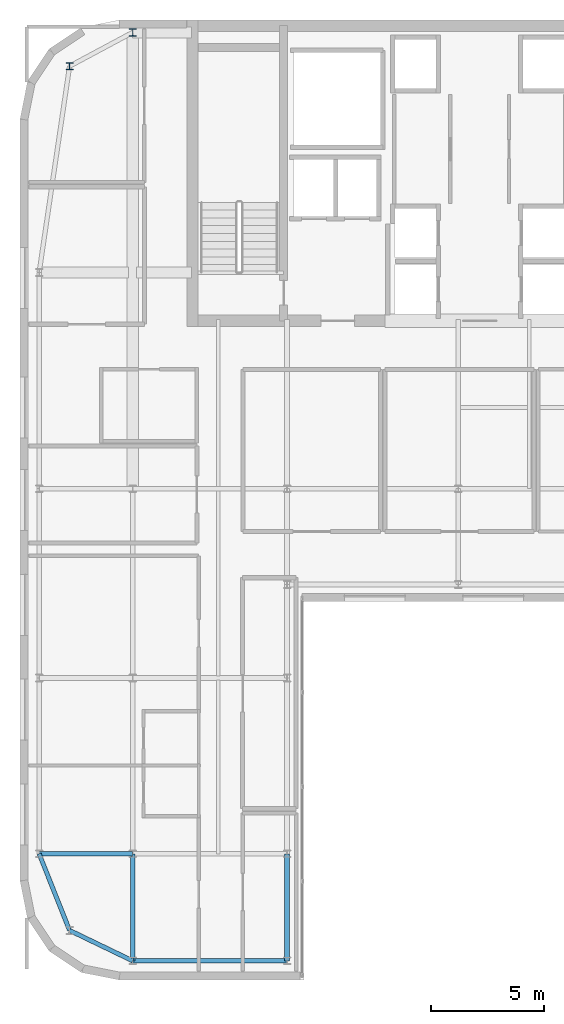
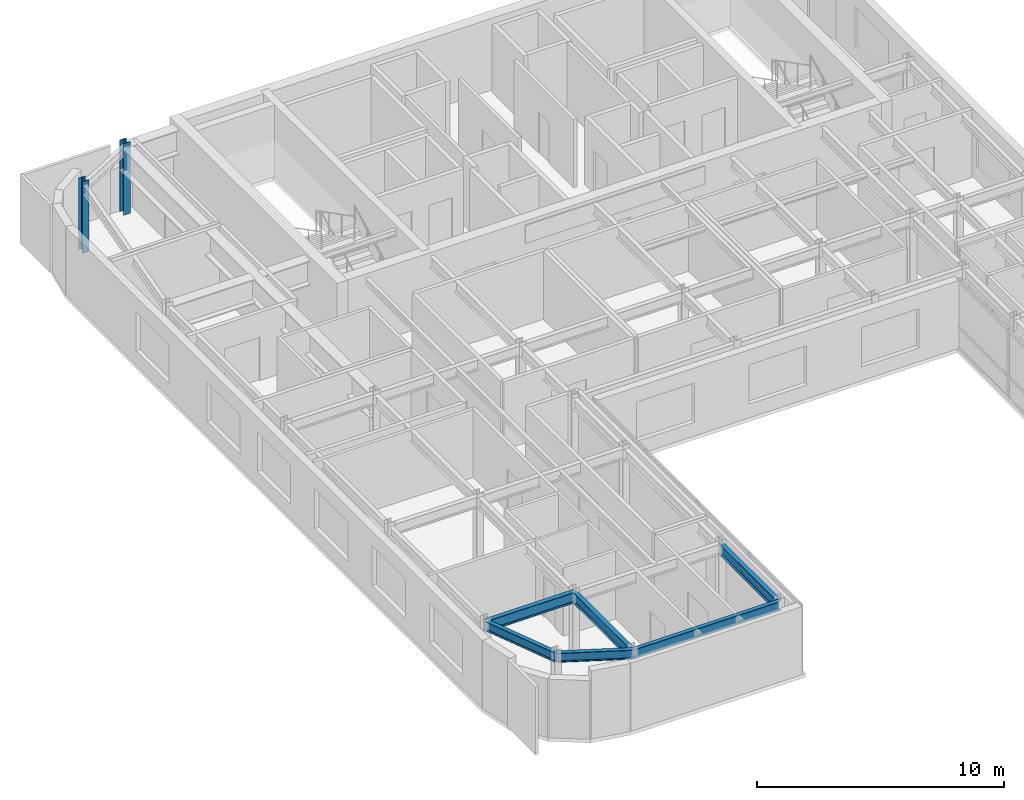
# One storey, part 3 of 18: 6 beams, 2 columns.
"""IFC4 building model written with IfcOpenShell, lengths in metres."""

from ifc_helpers import new_model, si_unit, direction, frame, origin, origin_2d, place, context, subcontext, project, spatial, i_section, extrude, source, transform, mapped, material, material_profile, profile_set, type_object, type_shapes, element, save


model = new_model("IFC4")

# Units and contexts
model_context = context("Model", 3, precision=1e-05, world=origin(), true_north=direction((0.0, 1.0)))
body_context = subcontext(model_context, "Body", "Model", "MODEL_VIEW")
ifc_project = project(units=[si_unit("LENGTHUNIT", "METRE"), si_unit("AREAUNIT", "SQUARE_METRE"), si_unit("VOLUMEUNIT", "CUBIC_METRE"), si_unit("PLANEANGLEUNIT", "RADIAN"), si_unit("MASSUNIT", "GRAM", prefix="KILO")], contexts=[model_context])

# Site, building, storey
site_placement = place(None, origin())
site = spatial("IfcSite", under=ifc_project, at=site_placement, CompositionType="ELEMENT")
building_placement = place(site_placement, origin())
building = spatial("IfcBuilding", under=site, at=building_placement, Name="Tolvann Quenvar Hotel", CompositionType="ELEMENT")
storey_placement = place(building_placement, frame((0.0, 0.0, 259.39990234375)))
storey = spatial("IfcBuildingStorey", under=building, at=storey_placement, Name="L69", CompositionType="ELEMENT", Elevation=259.39990234375)

# Columns
ifc_material = material(Name="Steel Grade 350", Category="steel")
ifc_material_profile_1 = material_profile(ifc_material, i_section(OverallWidth=0.30908203125, OverallDepth=0.321044921875, WebThickness=0.013916015625, FlangeThickness=0.021728515625, FilletRadius=0.0166015625, at=origin_2d()), Name="310UC137")
ifc_profile_set_1 = profile_set([ifc_material_profile_1], Name="Steel Grade 350")
column_type = type_object("IfcColumnType", Name="COL_310UC137", PredefinedType="COLUMN", material=ifc_profile_set_1)
shared_shape_1 = source(origin(), body_context, "Body", "SweptSolid", [
    extrude(i_section(OverallWidth=0.30908203125, OverallDepth=0.321044921875, WebThickness=0.013916015625, FlangeThickness=0.021728515625, FilletRadius=0.0166015625, at=origin_2d()), origin(), (0.0, 0.0, 1.0), 3.550048828125),
])
type_shapes(column_type, [shared_shape_1])
for number, where, z_axis, x_axis, name in (
    (1, (4.800048828125, 43.14990234375, 0.0), (0.0, 0.0, 1.0), (1.0, 0.0, 0.0), "Column BN (L69)"),
    (2, (7.60009765625, 44.64990234375, 0.0), (0.0, 0.0, 1.0), (1.0, 0.0, 0.0), "Column CN (L69)"),
):
    element("IfcColumn", number, at=place(storey_placement, frame(where, z_axis=z_axis, x_axis=x_axis)), inside=storey, type_object=column_type, Name=name, PredefinedType="COLUMN", context=body_context, shape_type="MappedRepresentation", body=[
        mapped(shared_shape_1, transform((0.0, 0.0, 0.0), x_axis=(1.0, 0.0, 0.0), y_axis=(0.0, 1.0, 0.0), z_axis=(0.0, 0.0, 1.0), scale=1.0)),
    ])

# Beams
ifc_material_profile_2 = material_profile(ifc_material, i_section(OverallWidth=0.208984375, OverallDepth=0.532958984375, WebThickness=0.01025390625, FlangeThickness=0.015625, FilletRadius=0.013916015625, at=origin_2d()), Name="530UB92")
ifc_profile_set_2 = profile_set([ifc_material_profile_2], Name="Steel Grade 350")
beam_type_1 = type_object("IfcBeamType", Name="BM_GIRD_530UB92", PredefinedType="BEAM", material=ifc_profile_set_2)
shared_shape_2 = source(origin(), body_context, "Body", "SweptSolid", [
    extrude(i_section(OverallWidth=0.208984375, OverallDepth=0.532958984375, WebThickness=0.01025390625, FlangeThickness=0.015625, FilletRadius=0.013916015625, at=origin_2d()), origin(), (0.0, 0.0, 1.0), 4.75),
])
for number, where, z_axis, x_axis, name in (
    (3, (7.60009765625, 3.449951171875, 3.103515625), (0.0, 1.0, 0.0), (-1.0, 0.0, 0.0), "BM-L69-NS-C2-C3"),
    (4, (14.449951171875, 3.449951171875, 3.103515625), (0.0, 1.0, 0.0), (-1.0, 0.0, 0.0), "BM-L69-NS-D2-D3"),
):
    element("IfcBeam", number, at=place(storey_placement, frame(where, z_axis=z_axis, x_axis=x_axis)), inside=storey, type_object=beam_type_1, Name=name, PredefinedType="BEAM", context=body_context, shape_type="MappedRepresentation", body=[
        mapped(shared_shape_2, transform((0.0, 0.0, 0.0), x_axis=(1.0, 0.0, 0.0), y_axis=(0.0, 1.0, 0.0), z_axis=(0.0, 0.0, 1.0), scale=1.0)),
    ])
ifc_material_profile_3 = material_profile(ifc_material, i_section(OverallWidth=0.19091796875, OverallDepth=0.4599609375, WebThickness=0.010009765625, FlangeThickness=0.01611328125, FilletRadius=0.011474609375, at=origin_2d()), Name="460UB82")
ifc_profile_set_3 = profile_set([ifc_material_profile_3], Name="Steel Grade 350")
beam_type_2 = type_object("IfcBeamType", Name="BM_SPAND_460UB82", PredefinedType="SPANDREL", material=ifc_profile_set_3)
shared_shape_3 = source(origin(), body_context, "Body", "SweptSolid", [
    extrude(i_section(OverallWidth=0.19091796875, OverallDepth=0.4599609375, WebThickness=0.010009765625, FlangeThickness=0.01611328125, FilletRadius=0.011474609375, at=origin_2d()), origin(), (0.0, 0.0, 1.0), 3.108642578125),
])
beam_1_placement = place(storey_placement, frame((4.800048828125, 4.800048828125, 3.14013671875), z_axis=(0.900759354066, -0.434318530646, 0.0), x_axis=(0.434318530646, 0.900759354066, 0.0)))
element("IfcBeam", 5, at=beam_1_placement, inside=storey, type_object=beam_type_2, Name="BM-L69-EW-2-B2-C2", PredefinedType="SPANDREL", context=body_context, shape_type="MappedRepresentation", body=[
    mapped(shared_shape_3, transform((0.0, 0.0, 0.0), x_axis=(1.0, 0.0, 0.0), y_axis=(0.0, 1.0, 0.0), z_axis=(0.0, 0.0, 1.0), scale=1.0)),
])
shared_shape_4 = source(origin(), body_context, "Body", "SweptSolid", [
    extrude(i_section(OverallWidth=0.19091796875, OverallDepth=0.4599609375, WebThickness=0.010009765625, FlangeThickness=0.01611328125, FilletRadius=0.011474609375, at=origin_2d()), origin(), (0.0, 0.0, 1.0), 3.658203125),
])
beam_2_placement = place(storey_placement, frame((4.800048828125, 4.800048828125, 3.14013671875), z_axis=(-0.369065163807, 0.929403521009, 0.0), x_axis=(-0.929403521009, -0.369065163807, 0.0)))
element("IfcBeam", 6, at=beam_2_placement, inside=storey, type_object=beam_type_2, Name="BM-L69-NS-B2-B3", PredefinedType="SPANDREL", context=body_context, shape_type="MappedRepresentation", body=[
    mapped(shared_shape_4, transform((0.0, 0.0, 0.0), x_axis=(1.0, 0.0, 0.0), y_axis=(0.0, 1.0, 0.0), z_axis=(0.0, 0.0, 1.0), scale=1.0)),
])
shared_shape_5 = source(origin(), body_context, "Body", "SweptSolid", [
    extrude(i_section(OverallWidth=0.19091796875, OverallDepth=0.4599609375, WebThickness=0.010009765625, FlangeThickness=0.01611328125, FilletRadius=0.011474609375, at=origin_2d()), origin(), (0.0, 0.0, 1.0), 6.849853515625),
])
type_shapes(beam_type_2, [shared_shape_3, shared_shape_4, shared_shape_5])
beam_3_placement = place(storey_placement, frame((7.60009765625, 3.449951171875, 3.14013671875), z_axis=(1.0, 0.0, 0.0), x_axis=(0.0, 1.0, 0.0)))
element("IfcBeam", 7, at=beam_3_placement, inside=storey, type_object=beam_type_2, Name="BM-L69-EW-2-C2-D2", PredefinedType="SPANDREL", context=body_context, shape_type="MappedRepresentation", body=[
    mapped(shared_shape_5, transform((0.0, 0.0, 0.0), x_axis=(1.0, 0.0, 0.0), y_axis=(0.0, 1.0, 0.0), z_axis=(0.0, 0.0, 1.0), scale=1.0)),
])
shared_shape_6 = source(origin(), body_context, "Body", "SweptSolid", [
    extrude(i_section(OverallWidth=0.208984375, OverallDepth=0.532958984375, WebThickness=0.01025390625, FlangeThickness=0.015625, FilletRadius=0.013916015625, at=origin_2d()), origin(), (0.0, 0.0, 1.0), 4.150146484375),
])
type_shapes(beam_type_1, [shared_shape_2, shared_shape_6])
beam_4_placement = place(storey_placement, frame((3.449951171875, 8.199951171875, 3.103515625), z_axis=(1.0, 0.0, 0.0), x_axis=(0.0, 1.0, 0.0)))
element("IfcBeam", 8, at=beam_4_placement, inside=storey, type_object=beam_type_1, Name="BM-L69-EW-3-B3-C3", PredefinedType="BEAM", context=body_context, shape_type="MappedRepresentation", body=[
    mapped(shared_shape_6, transform((0.0, 0.0, 0.0), x_axis=(1.0, 0.0, 0.0), y_axis=(0.0, 1.0, 0.0), z_axis=(0.0, 0.0, 1.0), scale=1.0)),
])

save(model, "model.ifc")
